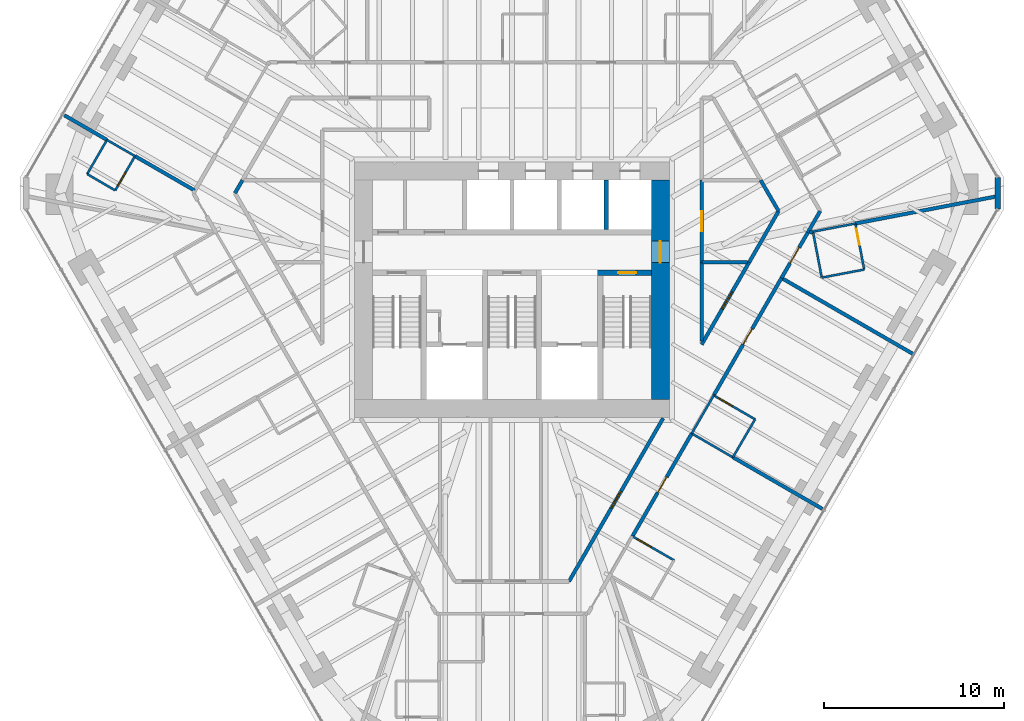
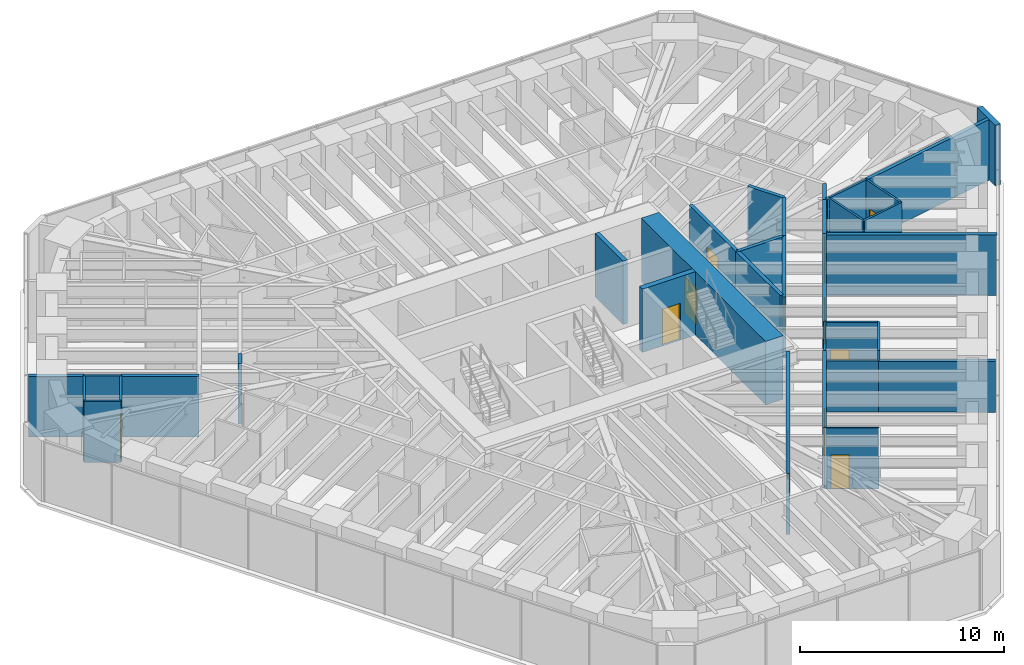
# One storey, part 13 of 16: 35 walls, 12 doors, 12 openings.
"""IFC4 building model written with IfcOpenShell, lengths in metres."""

from ifc_helpers import new_model, si_unit, direction, frame, frame_2d, origin, place, context, subcontext, project, spatial, rectangle, extrude, material, layer, layer_set, type_object, element, fill, save


model = new_model("IFC4")

# Units and contexts
model_context = context("Model", 3, precision=1e-05, world=origin(), true_north=direction((0.0, 1.0)))
body_context = subcontext(model_context, "Body", "Model", "MODEL_VIEW")
ifc_project = project(units=[si_unit("LENGTHUNIT", "METRE"), si_unit("AREAUNIT", "SQUARE_METRE"), si_unit("VOLUMEUNIT", "CUBIC_METRE"), si_unit("PLANEANGLEUNIT", "RADIAN"), si_unit("MASSUNIT", "GRAM", prefix="KILO")], contexts=[model_context])

# Site, building, storey
site_placement = place(None, origin())
site = spatial("IfcSite", under=ifc_project, at=site_placement, CompositionType="ELEMENT")
building_placement = place(site_placement, origin())
building = spatial("IfcBuilding", under=site, at=building_placement, Name="Sandreach Pilgrim Tower", CompositionType="ELEMENT")
storey_placement = place(building_placement, frame((0.0, 0.0, 202.199951171875)))
storey = spatial("IfcBuildingStorey", under=building, at=storey_placement, Name="L50", CompositionType="ELEMENT", Elevation=202.199951171875)

# Walls
ifc_material_1 = material(Name="Moisture-resistant gypsum board on steel studs", Category="steel")
ifc_layer_1 = layer(ifc_material_1, 0.1201171875)
ifc_layer_set_1 = layer_set([ifc_layer_1], Name="Bathroom partition 120")
wall_type_1 = type_object("IfcWallType", Name="Bathroom partition 120", PredefinedType="PARTITIONING", material=ifc_layer_set_1)
wall_1_placement = place(storey_placement, frame((-23.6298828125, 6.429931640625, 0.0), z_axis=(0.0, 0.0, 1.0), x_axis=(0.863773997337, -0.503879431535, 0.0)))
element("IfcWall", 1, at=wall_1_placement, inside=storey, type_object=wall_type_1, Name="Bathroom partition L50-003", PredefinedType="PARTITIONING", context=body_context, shape_type="SweptSolid", body=[
    extrude(rectangle(XDim=1.805908203125, YDim=0.1201171875, at=frame_2d((0.90283203125, 0.0))), origin(), (0.0, 0.0, 1.0), 3.64013671875),
])
wall_2_placement = place(storey_placement, frame((-22.530029296875, 8.330078125, 0.0), z_axis=(0.0, 0.0, 1.0), x_axis=(-0.500957366999, -0.865471961677, 0.0)))
element("IfcWall", 2, at=wall_2_placement, inside=storey, type_object=wall_type_1, Name="Bathroom partition L50-004", PredefinedType="PARTITIONING", context=body_context, shape_type="SweptSolid", body=[
    extrude(rectangle(XDim=2.195556640625, YDim=0.1201171875, at=frame_2d((1.09765625, 0.0))), origin(), (0.0, 0.0, 1.0), 3.64013671875),
])
wall_3_placement = place(storey_placement, frame((-22.530029296875, 8.330078125, 0.0), z_axis=(0.0, 0.0, 1.0), x_axis=(0.866158505053, -0.499769390944, 0.0)))
element("IfcWall", 3, at=wall_3_placement, inside=storey, type_object=wall_type_1, Name="Bathroom partition L50-005", PredefinedType="PARTITIONING", context=body_context, shape_type="SweptSolid", body=[
    extrude(rectangle(XDim=1.801025390625, YDim=0.1201171875, at=frame_2d((0.900390625, 0.0))), origin(), (0.0, 0.0, 1.0), 3.64013671875),
])

# Wall, opening, door
wall_4_placement = place(storey_placement, frame((-22.070068359375, 5.52001953125, 0.0), z_axis=(0.0, 0.0, 1.0), x_axis=(0.499118212815, 0.866533905648, 0.0)))
wall_4 = element("IfcWall", 4, at=wall_4_placement, inside=storey, type_object=wall_type_1, Name="Bathroom partition L50-006", PredefinedType="PARTITIONING", context=body_context, shape_type="SweptSolid", body=[
    extrude(rectangle(XDim=2.2041015625, YDim=0.1201171875, at=frame_2d((1.10205078125, 0.0))), origin(), (0.0, 0.0, 1.0), 3.64013671875),
])
opening_1_placement = place(wall_4_placement, frame((0.300048828125, 0.0, 0.0)))
opening_1 = element("IfcOpeningElement", 5, at=opening_1_placement, cuts=wall_4, Name="Opening D09-15B", PredefinedType="OPENING", context=body_context, shape_type="SweptSolid", body=[
    extrude(rectangle(XDim=0.89990234375, YDim=2.030029296875, at=frame_2d((0.449951171875, 1.01513671875))), frame((0.0, 0.06005859375, 0.0), z_axis=(0.0, -1.0, 0.0), x_axis=(1.0, 0.0, 0.0)), (0.0, 0.0, 1.0), 0.1201171875),
])
ifc_material_2 = material(Name="Timber door, steel frame", Category="steel")
door_type_1 = type_object("IfcDoorType", Name="Bathroom door", OperationType="SINGLE_SWING_LEFT", PredefinedType="DOOR", material=ifc_material_2)
door_1_placement = place(opening_1_placement, origin())
door_1 = element("IfcDoor", 6, at=door_1_placement, inside=storey, type_object=door_type_1, Name="Door 5015B", OperationType="SINGLE_SWING_LEFT", OverallHeight=2.030029296875, OverallWidth=0.89990234375, PredefinedType="DOOR", context=body_context, shape_type="SweptSolid", body=[
    extrude(rectangle(XDim=0.89990234375, YDim=2.030029296875, at=frame_2d((0.449951171875, 1.01513671875))), frame((0.0, 0.02490234375, 0.0), z_axis=(0.0, -1.0, 0.0), x_axis=(1.0, 0.0, 0.0)), (0.0, 0.0, 1.0), 0.050048828125),
])
fill(opening_1, door_1)

wall_5_placement = place(storey_placement, frame((9.010009765625, -15.050048828125, 0.0), z_axis=(0.0, 0.0, 1.0), x_axis=(-0.866615255992, 0.498976951453, 0.0)))
wall_5 = element("IfcWall", 7, at=wall_5_placement, inside=storey, type_object=wall_type_1, Name="Bathroom partition L50-105", PredefinedType="PARTITIONING", context=body_context, shape_type="SweptSolid", body=[
    extrude(rectangle(XDim=2.66552734375, YDim=0.1201171875, at=frame_2d((1.332763671875, 0.0))), origin(), (0.0, 0.0, 1.0), 3.64013671875),
])
opening_2_placement = place(wall_5_placement, frame((1.465576171875, 0.0, 0.0)))
opening_2 = element("IfcOpeningElement", 8, at=opening_2_placement, cuts=wall_5, Name="Opening D09-08B", PredefinedType="OPENING", context=body_context, shape_type="SweptSolid", body=[
    extrude(rectangle(XDim=0.89990234375, YDim=2.030029296875, at=frame_2d((0.449951171875, 1.01513671875))), frame((0.0, 0.06005859375, 0.0), z_axis=(0.0, -1.0, 0.0), x_axis=(1.0, 0.0, 0.0)), (0.0, 0.0, 1.0), 0.1201171875),
])
door_2_placement = place(opening_2_placement, origin())
door_2 = element("IfcDoor", 9, at=door_2_placement, inside=storey, type_object=door_type_1, Name="Door 5008B", OperationType="SINGLE_SWING_RIGHT", OverallHeight=2.030029296875, OverallWidth=0.89990234375, PredefinedType="DOOR", context=body_context, shape_type="SweptSolid", body=[
    extrude(rectangle(XDim=0.89990234375, YDim=2.030029296875, at=frame_2d((0.449951171875, 1.01513671875))), frame((0.0, 0.02490234375, 0.0), z_axis=(0.0, -1.0, 0.0), x_axis=(1.0, 0.0, 0.0)), (0.0, 0.0, 1.0), 0.050048828125),
])
fill(opening_2, door_2)

# Walls
wall_6_placement = place(storey_placement, frame((9.9990234375, -7.99951171875, 0.0), z_axis=(0.0, 0.0, 1.0), x_axis=(0.49917796633, 0.866499485245, 0.0)))
element("IfcWall", 10, at=wall_6_placement, inside=storey, type_object=wall_type_1, Name="Bathroom partition L50-106", PredefinedType="PARTITIONING", context=body_context, shape_type="SweptSolid", body=[
    extrude(rectangle(XDim=2.44580078125, YDim=0.1201171875, at=frame_2d((1.222900390625, 0.0))), origin(), (0.0, 0.0, 1.0), 3.64013671875),
])
wall_7_placement = place(storey_placement, frame((12.2900390625, -9.330078125, 0.0), z_axis=(0.0, 0.0, 1.0), x_axis=(-0.864726954997, 0.502242265546, 0.0)))
element("IfcWall", 11, at=wall_7_placement, inside=storey, type_object=wall_type_1, Name="Bathroom partition L50-118", PredefinedType="PARTITIONING", context=body_context, shape_type="SweptSolid", body=[
    extrude(rectangle(XDim=2.648193359375, YDim=0.1201171875, at=frame_2d((1.32421875, 0.0))), origin(), (0.0, 0.0, 1.0), 3.0380859375),
])
wall_8_placement = place(storey_placement, frame((12.2900390625, -9.320068359375, 0.0), z_axis=(0.0, 0.0, 1.0), x_axis=(0.503591322258, 0.863942000453, 0.0)))
element("IfcWall", 12, at=wall_8_placement, inside=storey, type_object=wall_type_1, Name="Bathroom partition L50-119", PredefinedType="PARTITIONING", context=body_context, shape_type="SweptSolid", body=[
    extrude(rectangle(XDim=2.4423828125, YDim=0.1201171875, at=frame_2d((1.22119140625, 0.0))), origin(), (0.0, 0.0, 1.0), 3.64013671875),
])

# Wall, opening, door
wall_9_placement = place(storey_placement, frame((13.52001953125, -7.2099609375, 0.0), z_axis=(0.0, 0.0, 1.0), x_axis=(-0.865675724273, 0.500605174168, 0.0)))
wall_9 = element("IfcWall", 13, at=wall_9_placement, inside=storey, type_object=wall_type_1, Name="Bathroom partition L50-124", PredefinedType="PARTITIONING", context=body_context, shape_type="SweptSolid", body=[
    extrude(rectangle(XDim=2.656982421875, YDim=0.1201171875, at=frame_2d((1.32861328125, 0.0))), origin(), (0.0, 0.0, 1.0), 3.64013671875),
])
opening_3_placement = place(wall_9_placement, frame((1.456787109375, 0.0, 0.0)))
opening_3 = element("IfcOpeningElement", 14, at=opening_3_placement, cuts=wall_9, Name="Opening D09-07B", PredefinedType="OPENING", context=body_context, shape_type="SweptSolid", body=[
    extrude(rectangle(XDim=0.89990234375, YDim=2.030029296875, at=frame_2d((0.449951171875, 1.01513671875))), frame((0.0, 0.06005859375, 0.0), z_axis=(0.0, -1.0, 0.0), x_axis=(1.0, 0.0, 0.0)), (0.0, 0.0, 1.0), 0.1201171875),
])
door_3_placement = place(opening_3_placement, origin())
door_3 = element("IfcDoor", 15, at=door_3_placement, inside=storey, type_object=door_type_1, Name="Door 5007B", OperationType="SINGLE_SWING_RIGHT", OverallHeight=2.030029296875, OverallWidth=0.89990234375, PredefinedType="DOOR", context=body_context, shape_type="SweptSolid", body=[
    extrude(rectangle(XDim=0.89990234375, YDim=2.030029296875, at=frame_2d((0.449951171875, 1.01513671875))), frame((0.0, 0.02490234375, 0.0), z_axis=(0.0, -1.0, 0.0), x_axis=(1.0, 0.0, 0.0)), (0.0, 0.0, 1.0), 0.050048828125),
])
fill(opening_3, door_3)

# Walls
wall_10_placement = place(storey_placement, frame((16.739013671875, 3.22509765625, 0.0), z_axis=(0.0, 0.0, 1.0), x_axis=(0.981946287277, 0.189159955868, 0.0)))
element("IfcWall", 16, at=wall_10_placement, inside=storey, type_object=wall_type_1, Name="Bathroom partition L50-137", PredefinedType="PARTITIONING", context=body_context, shape_type="SweptSolid", body=[
    extrude(rectangle(XDim=2.404541015625, YDim=0.1201171875, at=frame_2d((1.2021484375, 0.0))), origin(), (0.0, 0.0, 1.0), 3.64013671875),
])
wall_11_placement = place(storey_placement, frame((16.739990234375, 3.219970703125, 0.0), z_axis=(0.0, 0.0, 1.0), x_axis=(0.188697442844, -0.982035271802, 0.0)))
element("IfcWall", 17, at=wall_11_placement, inside=storey, type_object=wall_type_1, Name="Bathroom partition L50-138", PredefinedType="PARTITIONING", context=body_context, shape_type="SweptSolid", body=[
    extrude(rectangle(XDim=2.5966796875, YDim=0.1201171875, at=frame_2d((1.29833984375, 0.0))), origin(), (0.0, 0.0, 1.0), 3.64013671875),
])
wall_12_placement = place(storey_placement, frame((17.22998046875, 0.669921875, 0.0), z_axis=(0.0, 0.0, 1.0), x_axis=(0.982288725898, 0.187373581313, 0.0)))
element("IfcWall", 18, at=wall_12_placement, inside=storey, type_object=wall_type_1, Name="Bathroom partition L50-143", PredefinedType="PARTITIONING", context=body_context, shape_type="SweptSolid", body=[
    extrude(rectangle(XDim=2.402587890625, YDim=0.1201171875, at=frame_2d((1.201171875, 0.0))), origin(), (0.0, 0.0, 1.0), 3.64013671875),
])

# Wall, opening, door
wall_13_placement = place(storey_placement, frame((19.590087890625, 1.1201171875, 0.0), z_axis=(0.0, 0.0, 1.0), x_axis=(-0.188003058159, 0.982168442846, 0.0)))
wall_13 = element("IfcWall", 19, at=wall_13_placement, inside=storey, type_object=wall_type_1, Name="Bathroom partition L50-146", PredefinedType="PARTITIONING", context=body_context, shape_type="SweptSolid", body=[
    extrude(rectangle(XDim=2.606201171875, YDim=0.1201171875, at=frame_2d((1.30322265625, 0.0))), origin(), (0.0, 0.0, 1.0), 3.64013671875),
])
opening_4_placement = place(wall_13_placement, frame((1.406494140625, 0.0, 0.0)))
opening_4 = element("IfcOpeningElement", 20, at=opening_4_placement, cuts=wall_13, Name="Opening D09-06B", PredefinedType="OPENING", context=body_context, shape_type="SweptSolid", body=[
    extrude(rectangle(XDim=0.89990234375, YDim=2.030029296875, at=frame_2d((0.449951171875, 1.01513671875))), frame((0.0, 0.06005859375, 0.0), z_axis=(0.0, -1.0, 0.0), x_axis=(1.0, 0.0, 0.0)), (0.0, 0.0, 1.0), 0.1201171875),
])
door_4_placement = place(opening_4_placement, origin())
door_4 = element("IfcDoor", 21, at=door_4_placement, inside=storey, type_object=door_type_1, Name="Door 5006B", OperationType="SINGLE_SWING_RIGHT", OverallHeight=2.030029296875, OverallWidth=0.89990234375, PredefinedType="DOOR", context=body_context, shape_type="SweptSolid", body=[
    extrude(rectangle(XDim=0.89990234375, YDim=2.030029296875, at=frame_2d((0.449951171875, 1.01513671875))), frame((0.0, 0.02490234375, 0.0), z_axis=(0.0, -1.0, 0.0), x_axis=(1.0, 0.0, 0.0)), (0.0, 0.0, 1.0), 0.050048828125),
])
fill(opening_4, door_4)

ifc_material_3 = material(Name="Concrete 10000 psi", Category="concrete")
ifc_layer_2 = layer(ifc_material_3, 0.300048828125)
ifc_layer_set_2 = layer_set([ifc_layer_2], Name="Core inner wall 300")
wall_type_2 = type_object("IfcWallType", Name="Core inner wall 300", PredefinedType="SHEAR", material=ifc_layer_set_2)
wall_14_placement = place(storey_placement, frame((4.75, 0.949951171875, 0.0), z_axis=(0.0, 0.0, 1.0), x_axis=(1.0, 0.0, 0.0)))
wall_14 = element("IfcWall", 22, at=wall_14_placement, inside=storey, type_object=wall_type_2, Name="Core wall SN2 L50", PredefinedType="SHEAR", context=body_context, shape_type="SweptSolid", body=[
    extrude(rectangle(XDim=3.0, YDim=0.300048828125, at=frame_2d((1.5, 0.0))), origin(), (0.0, 0.0, 1.0), 3.800048828125),
])
opening_5_placement = place(wall_14_placement, frame((1.14990234375, 0.0, 0.0)))
opening_5 = element("IfcOpeningElement", 23, at=opening_5_placement, cuts=wall_14, Name="Opening D10S-ST2", PredefinedType="OPENING", context=body_context, shape_type="SweptSolid", body=[
    extrude(rectangle(XDim=1.0, YDim=2.199951171875, at=frame_2d((0.5, 1.10009765625))), frame((0.0, 0.14990234375, 0.0), z_axis=(0.0, -1.0, 0.0), x_axis=(1.0, 0.0, 0.0)), (0.0, 0.0, 1.0), 0.300048828125),
])
ifc_material_4 = material(Name="Steel door and frame", Category="steel")
door_type_2 = type_object("IfcDoorType", Name="Stair door", OperationType="SINGLE_SWING_LEFT", PredefinedType="DOOR", material=ifc_material_4)
door_5_placement = place(opening_5_placement, origin())
door_5 = element("IfcDoor", 24, at=door_5_placement, inside=storey, type_object=door_type_2, Name="Stair door ST2 L50", OperationType="SINGLE_SWING_RIGHT", OverallHeight=2.199951171875, OverallWidth=1.0, PredefinedType="DOOR", context=body_context, shape_type="SweptSolid", body=[
    extrude(rectangle(XDim=1.0, YDim=2.199951171875, at=frame_2d((0.5, 1.10009765625))), frame((0.0, 0.02490234375, 0.0), z_axis=(0.0, -1.0, 0.0), x_axis=(1.0, 0.0, 0.0)), (0.0, 0.0, 1.0), 0.050048828125),
])
fill(opening_5, door_5)

ifc_material_5 = material(Name="Concrete 10000 psi", Category="concrete")
ifc_layer_3 = layer(ifc_material_5, 1.0)
ifc_layer_set_3 = layer_set([ifc_layer_3], Name="Core wall 1000")
wall_type_3 = type_object("IfcWallType", Name="Core wall 1000", PredefinedType="SHEAR", material=ifc_layer_set_3)
wall_15_placement = place(storey_placement, frame((8.25, -6.10009765625, 0.0), z_axis=(0.0, 0.0, 1.0), x_axis=(0.0, 1.0, 0.0)))
wall_15 = element("IfcWall", 25, at=wall_15_placement, inside=storey, type_object=wall_type_3, Name="Core wall E L50", PredefinedType="SHEAR", context=body_context, shape_type="SweptSolid", body=[
    extrude(rectangle(XDim=12.2001953125, YDim=1.0, at=frame_2d((6.10009765625, 0.0))), origin(), (0.0, 0.0, 1.0), 3.800048828125),
])
opening_6_placement = place(wall_15_placement, frame((7.60009765625, 0.0, 0.0)))
opening_6 = element("IfcOpeningElement", 26, at=opening_6_placement, cuts=wall_15, Name="Opening D12F-E", PredefinedType="OPENING", context=body_context, shape_type="SweptSolid", body=[
    extrude(rectangle(XDim=1.199951171875, YDim=2.199951171875, at=frame_2d((0.60009765625, 1.10009765625))), frame((0.0, 0.5, 0.0), z_axis=(0.0, -1.0, 0.0), x_axis=(1.0, 0.0, 0.0)), (0.0, 0.0, 1.0), 1.0),
])
ifc_material_6 = material(Name="Steel door and frame", Category="steel")
door_type_3 = type_object("IfcDoorType", Name="Fire lobby door", OperationType="SINGLE_SWING_LEFT", PredefinedType="DOOR", material=ifc_material_6)
door_6_placement = place(opening_6_placement, origin())
door_6 = element("IfcDoor", 27, at=door_6_placement, inside=storey, type_object=door_type_3, Name="Fire service lobby door E L50", OperationType="SINGLE_SWING_RIGHT", OverallHeight=2.199951171875, OverallWidth=1.199951171875, PredefinedType="DOOR", context=body_context, shape_type="SweptSolid", body=[
    extrude(rectangle(XDim=1.199951171875, YDim=2.199951171875, at=frame_2d((0.60009765625, 1.10009765625))), frame((0.0, 0.02490234375, 0.0), z_axis=(0.0, -1.0, 0.0), x_axis=(1.0, 0.0, 0.0)), (0.0, 0.0, 1.0), 0.050048828125),
])
fill(opening_6, door_6)

# Wall
ifc_material_7 = material(Name="Gypsum board on steel studs, two layers each side", Category="steel")
ifc_layer_4 = layer(ifc_material_7, 0.199951171875)
ifc_layer_set_4 = layer_set([ifc_layer_4], Name="Corridor wall 200")
wall_type_4 = type_object("IfcWallType", Name="Corridor wall 200", PredefinedType="PARTITIONING", material=ifc_layer_set_4)
wall_16_placement = place(storey_placement, frame((-15.409912109375, 5.3701171875, 0.0), z_axis=(0.0, 0.0, 1.0), x_axis=(0.503943891868, 0.863736391412, 0.0)))
element("IfcWall", 28, at=wall_16_placement, inside=storey, type_object=wall_type_4, Name="Corridor wall L50-026", PredefinedType="PARTITIONING", context=body_context, shape_type="SweptSolid", body=[
    extrude(rectangle(XDim=0.833251953125, YDim=0.199951171875, at=frame_2d((0.41650390625, 0.0))), origin(), (0.0, 0.0, 1.0), 3.64013671875),
])

# Wall, opening, door
wall_17_placement = place(storey_placement, frame((6.699951171875, -13.719970703125, 0.0), z_axis=(0.0, 0.0, 1.0), x_axis=(0.499729921425, 0.866181277581, 0.0)))
wall_17 = element("IfcWall", 29, at=wall_17_placement, inside=storey, type_object=wall_type_4, Name="Corridor wall L50-100", PredefinedType="PARTITIONING", context=body_context, shape_type="SweptSolid", body=[
    extrude(rectangle(XDim=6.603759765625, YDim=0.199951171875, at=frame_2d((3.3017578125, 0.0))), origin(), (0.0, 0.0, 1.0), 3.64013671875),
])
opening_7_placement = place(wall_17_placement, frame((2.8017578125, 0.0, 0.0)))
opening_7 = element("IfcOpeningElement", 30, at=opening_7_placement, cuts=wall_17, Name="Opening D10-08", PredefinedType="OPENING", context=body_context, shape_type="SweptSolid", body=[
    extrude(rectangle(XDim=1.0, YDim=2.1298828125, at=frame_2d((0.5, 1.06494140625))), frame((0.0, 0.10009765625, 0.0), z_axis=(0.0, -1.0, 0.0), x_axis=(1.0, 0.0, 0.0)), (0.0, 0.0, 1.0), 0.199951171875),
])
ifc_material_8 = material(Name="Steel door and frame", Category="steel")
door_type_4 = type_object("IfcDoorType", Name="Guest room entry door", OperationType="SINGLE_SWING_LEFT", PredefinedType="DOOR", material=ifc_material_8)
door_7_placement = place(opening_7_placement, origin())
door_7 = element("IfcDoor", 31, at=door_7_placement, inside=storey, type_object=door_type_4, Name="Door 5008", OperationType="SINGLE_SWING_LEFT", OverallHeight=2.1298828125, OverallWidth=1.0, PredefinedType="DOOR", context=body_context, shape_type="SweptSolid", body=[
    extrude(rectangle(XDim=1.0, YDim=2.1298828125, at=frame_2d((0.5, 1.06494140625))), frame((0.0, 0.02490234375, 0.0), z_axis=(0.0, -1.0, 0.0), x_axis=(1.0, 0.0, 0.0)), (0.0, 0.0, 1.0), 0.050048828125),
])
fill(opening_7, door_7)

wall_18_placement = place(storey_placement, frame((8.409912109375, -7.14990234375, 0.0), z_axis=(0.0, 0.0, 1.0), x_axis=(-0.499828628176, -0.866124322748, 0.0)))
wall_18 = element("IfcWall", 32, at=wall_18_placement, inside=storey, type_object=wall_type_4, Name="Corridor wall L50-102", PredefinedType="PARTITIONING", context=body_context, shape_type="SweptSolid", body=[
    extrude(rectangle(XDim=10.483642578125, YDim=0.199951171875, at=frame_2d((5.24169921875, 0.0))), origin(), (0.0, 0.0, 1.0), 3.64013671875),
])
opening_8_placement = place(wall_18_placement, frame((4.691650390625, 0.0, 0.0)))
opening_8 = element("IfcOpeningElement", 33, at=opening_8_placement, cuts=wall_18, Name="Opening D11H-S4", PredefinedType="OPENING", context=body_context, shape_type="SweptSolid", body=[
    extrude(rectangle(XDim=1.10009765625, YDim=2.199951171875, at=frame_2d((0.550048828125, 1.10009765625))), frame((0.0, 0.10009765625, 0.0), z_axis=(0.0, -1.0, 0.0), x_axis=(1.0, 0.0, 0.0)), (0.0, 0.0, 1.0), 0.199951171875),
])
ifc_material_9 = material(Name="Steel door and frame", Category="steel")
door_type_5 = type_object("IfcDoorType", Name="Back of house door", OperationType="SINGLE_SWING_LEFT", PredefinedType="DOOR", material=ifc_material_9)
door_8_placement = place(opening_8_placement, origin())
door_8 = element("IfcDoor", 34, at=door_8_placement, inside=storey, type_object=door_type_5, Name="Door 50S4", OperationType="SINGLE_SWING_LEFT", OverallHeight=2.199951171875, OverallWidth=1.10009765625, PredefinedType="DOOR", context=body_context, shape_type="SweptSolid", body=[
    extrude(rectangle(XDim=1.10009765625, YDim=2.199951171875, at=frame_2d((0.550048828125, 1.10009765625))), frame((0.0, 0.02490234375, 0.0), z_axis=(0.0, -1.0, 0.0), x_axis=(1.0, 0.0, 0.0)), (0.0, 0.0, 1.0), 0.050048828125),
])
fill(opening_8, door_8)

# Wall
wall_19_placement = place(storey_placement, frame((10.550048828125, -2.85498046875, 0.0), z_axis=(0.0, 0.0, 1.0), x_axis=(0.0, 1.0, 0.0)))
element("IfcWall", 35, at=wall_19_placement, inside=storey, type_object=wall_type_4, Name="Corridor wall L50-107", PredefinedType="PARTITIONING", context=body_context, shape_type="SweptSolid", body=[
    extrude(rectangle(XDim=4.375, YDim=0.199951171875, at=frame_2d((2.1875, 0.0))), origin(), (0.0, 0.0, 1.0), 3.64013671875),
])

# Wall, opening, door
wall_20_placement = place(storey_placement, frame((10.550048828125, 1.52001953125, 0.0), z_axis=(0.0, 0.0, 1.0), x_axis=(0.0, 1.0, 0.0)))
wall_20 = element("IfcWall", 36, at=wall_20_placement, inside=storey, type_object=wall_type_4, Name="Corridor wall L50-108", PredefinedType="PARTITIONING", context=body_context, shape_type="SweptSolid", body=[
    extrude(rectangle(XDim=4.570068359375, YDim=0.199951171875, at=frame_2d((2.28515625, 0.0))), origin(), (0.0, 0.0, 1.0), 3.64013671875),
])
opening_9_placement = place(wall_20_placement, frame((1.735107421875, 0.0, 0.0)))
opening_9 = element("IfcOpeningElement", 37, at=opening_9_placement, cuts=wall_20, Name="Opening D11H-M06", PredefinedType="OPENING", context=body_context, shape_type="SweptSolid", body=[
    extrude(rectangle(XDim=1.10009765625, YDim=2.199951171875, at=frame_2d((0.550048828125, 1.10009765625))), frame((0.0, 0.10009765625, 0.0), z_axis=(0.0, -1.0, 0.0), x_axis=(1.0, 0.0, 0.0)), (0.0, 0.0, 1.0), 0.199951171875),
])
door_9_placement = place(opening_9_placement, origin())
door_9 = element("IfcDoor", 38, at=door_9_placement, inside=storey, type_object=door_type_5, Name="Door 50M06", OperationType="SINGLE_SWING_LEFT", OverallHeight=2.199951171875, OverallWidth=1.10009765625, PredefinedType="DOOR", context=body_context, shape_type="SweptSolid", body=[
    extrude(rectangle(XDim=1.10009765625, YDim=2.199951171875, at=frame_2d((0.550048828125, 1.10009765625))), frame((0.0, 0.02490234375, 0.0), z_axis=(0.0, -1.0, 0.0), x_axis=(1.0, 0.0, 0.0)), (0.0, 0.0, 1.0), 0.050048828125),
])
fill(opening_9, door_9)

wall_21_placement = place(storey_placement, frame((11.219970703125, -5.8798828125, 0.0), z_axis=(0.0, 0.0, 1.0), x_axis=(0.500004606796, 0.866022744033, 0.0)))
wall_21 = element("IfcWall", 39, at=wall_21_placement, inside=storey, type_object=wall_type_4, Name="Corridor wall L50-117", PredefinedType="PARTITIONING", context=body_context, shape_type="SweptSolid", body=[
    extrude(rectangle(XDim=7.5400390625, YDim=0.199951171875, at=frame_2d((3.77001953125, 0.0))), origin(), (0.0, 0.0, 1.0), 3.64013671875),
])
opening_10_placement = place(wall_21_placement, frame((3.27001953125, 0.0, 0.0)))
opening_10 = element("IfcOpeningElement", 40, at=opening_10_placement, cuts=wall_21, Name="Opening D10-07", PredefinedType="OPENING", context=body_context, shape_type="SweptSolid", body=[
    extrude(rectangle(XDim=1.0, YDim=2.1298828125, at=frame_2d((0.5, 1.06494140625))), frame((0.0, 0.10009765625, 0.0), z_axis=(0.0, -1.0, 0.0), x_axis=(1.0, 0.0, 0.0)), (0.0, 0.0, 1.0), 0.199951171875),
])
door_10_placement = place(opening_10_placement, origin())
door_10 = element("IfcDoor", 41, at=door_10_placement, inside=storey, type_object=door_type_4, Name="Door 5007", OperationType="SINGLE_SWING_LEFT", OverallHeight=2.1298828125, OverallWidth=1.0, PredefinedType="DOOR", context=body_context, shape_type="SweptSolid", body=[
    extrude(rectangle(XDim=1.0, YDim=2.1298828125, at=frame_2d((0.5, 1.06494140625))), frame((0.0, 0.02490234375, 0.0), z_axis=(0.0, -1.0, 0.0), x_axis=(1.0, 0.0, 0.0)), (0.0, 0.0, 1.0), 0.050048828125),
])
fill(opening_10, door_10)

wall_22_placement = place(storey_placement, frame((13.18994140625, 1.52001953125, 0.0), z_axis=(0.0, 0.0, 1.0), x_axis=(-0.500193590286, -0.865913605527, 0.0)))
wall_22 = element("IfcWall", 42, at=wall_22_placement, inside=storey, type_object=wall_type_4, Name="Corridor wall L50-123", PredefinedType="PARTITIONING", context=body_context, shape_type="SweptSolid", body=[
    extrude(rectangle(XDim=5.27783203125, YDim=0.199951171875, at=frame_2d((2.638916015625, 0.0))), origin(), (0.0, 0.0, 1.0), 3.64013671875),
])
opening_11_placement = place(wall_22_placement, frame((1.89990234375, 0.0, 0.0)))
opening_11 = element("IfcOpeningElement", 43, at=opening_11_placement, cuts=wall_22, Name="Opening D11H-M04", PredefinedType="OPENING", context=body_context, shape_type="SweptSolid", body=[
    extrude(rectangle(XDim=1.10009765625, YDim=2.199951171875, at=frame_2d((0.550048828125, 1.10009765625))), frame((0.0, 0.10009765625, 0.0), z_axis=(0.0, -1.0, 0.0), x_axis=(1.0, 0.0, 0.0)), (0.0, 0.0, 1.0), 0.199951171875),
])
door_11_placement = place(opening_11_placement, origin())
door_11 = element("IfcDoor", 44, at=door_11_placement, inside=storey, type_object=door_type_5, Name="Door 50M04", OperationType="SINGLE_SWING_LEFT", OverallHeight=2.199951171875, OverallWidth=1.10009765625, PredefinedType="DOOR", context=body_context, shape_type="SweptSolid", body=[
    extrude(rectangle(XDim=1.10009765625, YDim=2.199951171875, at=frame_2d((0.550048828125, 1.10009765625))), frame((0.0, 0.02490234375, 0.0), z_axis=(0.0, -1.0, 0.0), x_axis=(1.0, 0.0, 0.0)), (0.0, 0.0, 1.0), 0.050048828125),
])
fill(opening_11, door_11)

# Walls
wall_23_placement = place(storey_placement, frame((13.830078125, 6.090087890625, 0.0), z_axis=(0.0, 0.0, 1.0), x_axis=(0.502573539539, -0.864534462792, 0.0)))
element("IfcWall", 45, at=wall_23_placement, inside=storey, type_object=wall_type_4, Name="Corridor wall L50-127", PredefinedType="PARTITIONING", context=body_context, shape_type="SweptSolid", body=[
    extrude(rectangle(XDim=1.98974609375, YDim=0.199951171875, at=frame_2d((0.994873046875, 0.0))), origin(), (0.0, 0.0, 1.0), 3.64013671875),
])
wall_24_placement = place(storey_placement, frame((14.830078125, 4.3701171875, 0.0), z_axis=(0.0, 0.0, 1.0), x_axis=(-0.498775186059, -0.866731396554, 0.0)))
element("IfcWall", 46, at=wall_24_placement, inside=storey, type_object=wall_type_4, Name="Corridor wall L50-129", PredefinedType="PARTITIONING", context=body_context, shape_type="SweptSolid", body=[
    extrude(rectangle(XDim=3.288330078125, YDim=0.199951171875, at=frame_2d((1.64404296875, 0.0))), origin(), (0.0, 0.0, 1.0), 3.64013671875),
])

# Wall, opening, door
wall_25_placement = place(storey_placement, frame((14.989990234375, 0.650146484375, 0.0), z_axis=(0.0, 0.0, 1.0), x_axis=(0.501330358107, 0.865255957529, 0.0)))
wall_25 = element("IfcWall", 47, at=wall_25_placement, inside=storey, type_object=wall_type_4, Name="Corridor wall L50-132", PredefinedType="PARTITIONING", context=body_context, shape_type="SweptSolid", body=[
    extrude(rectangle(XDim=2.912109375, YDim=0.199951171875, at=frame_2d((1.4560546875, 0.0))), origin(), (0.0, 0.0, 1.0), 3.64013671875),
])
opening_12_placement = place(wall_25_placement, frame((0.956298828125, 0.0, 0.0)))
opening_12 = element("IfcOpeningElement", 48, at=opening_12_placement, cuts=wall_25, Name="Opening D10-06", PredefinedType="OPENING", context=body_context, shape_type="SweptSolid", body=[
    extrude(rectangle(XDim=1.0, YDim=2.1298828125, at=frame_2d((0.5, 1.06494140625))), frame((0.0, 0.10009765625, 0.0), z_axis=(0.0, -1.0, 0.0), x_axis=(1.0, 0.0, 0.0)), (0.0, 0.0, 1.0), 0.199951171875),
])
door_12_placement = place(opening_12_placement, origin())
door_12 = element("IfcDoor", 49, at=door_12_placement, inside=storey, type_object=door_type_4, Name="Door 5006", OperationType="SINGLE_SWING_LEFT", OverallHeight=2.1298828125, OverallWidth=1.0, PredefinedType="DOOR", context=body_context, shape_type="SweptSolid", body=[
    extrude(rectangle(XDim=1.0, YDim=2.1298828125, at=frame_2d((0.5, 1.06494140625))), frame((0.0, 0.02490234375, 0.0), z_axis=(0.0, -1.0, 0.0), x_axis=(1.0, 0.0, 0.0)), (0.0, 0.0, 1.0), 0.050048828125),
])
fill(opening_12, door_12)

# Walls
wall_26_placement = place(storey_placement, frame((16.449951171875, 3.169921875, 0.0), z_axis=(0.0, 0.0, 1.0), x_axis=(0.49845455473, 0.866915830325, 0.0)))
element("IfcWall", 50, at=wall_26_placement, inside=storey, type_object=wall_type_4, Name="Corridor wall L50-135", PredefinedType="PARTITIONING", context=body_context, shape_type="SweptSolid", body=[
    extrude(rectangle(XDim=1.38427734375, YDim=0.199951171875, at=frame_2d((0.692138671875, 0.0))), origin(), (0.0, 0.0, 1.0), 3.64013671875),
])
ifc_material_10 = material(Name="Double steel stud acoustic wall, gypsum board", Category="steel")
ifc_layer_5 = layer(ifc_material_10, 0.199951171875)
ifc_layer_set_5 = layer_set([ifc_layer_5], Name="Party wall 200")
wall_type_5 = type_object("IfcWallType", Name="Party wall 200", PredefinedType="PARTITIONING", material=ifc_layer_set_5)
wall_27_placement = place(storey_placement, frame((-24.896240234375, 9.699951171875, 0.0), z_axis=(0.0, 0.0, 1.0), x_axis=(0.865432398871, -0.501025710902, 0.0)))
element("IfcWall", 51, at=wall_27_placement, inside=storey, type_object=wall_type_5, Name="Party wall L50-002", PredefinedType="PARTITIONING", context=body_context, shape_type="SweptSolid", body=[
    extrude(rectangle(XDim=2.734130859375, YDim=0.199951171875, at=frame_2d((1.3671875, 0.0))), origin(), (0.0, 0.0, 1.0), 3.64013671875),
])
wall_28_placement = place(storey_placement, frame((-20.969970703125, 7.429931640625, 0.0), z_axis=(0.0, 0.0, 1.0), x_axis=(0.866325681624, -0.499479542482, 0.0)))
element("IfcWall", 52, at=wall_28_placement, inside=storey, type_object=wall_type_5, Name="Party wall L50-007", PredefinedType="PARTITIONING", context=body_context, shape_type="SweptSolid", body=[
    extrude(rectangle(XDim=3.82861328125, YDim=0.199951171875, at=frame_2d((1.914306640625, 0.0))), origin(), (0.0, 0.0, 1.0), 3.64013671875),
])
wall_29_placement = place(storey_placement, frame((10.56005859375, 1.52001953125, 0.0), z_axis=(0.0, 0.0, 1.0), x_axis=(1.0, 0.0, 0.0)))
element("IfcWall", 53, at=wall_29_placement, inside=storey, type_object=wall_type_5, Name="Party wall L50-110", PredefinedType="PARTITIONING", context=body_context, shape_type="SweptSolid", body=[
    extrude(rectangle(XDim=2.550048828125, YDim=0.199951171875, at=frame_2d((1.27490234375, 0.0))), origin(), (0.0, 0.0, 1.0), 3.64013671875),
])
wall_30_placement = place(storey_placement, frame((12.2900390625, -9.320068359375, 0.0), z_axis=(0.0, 0.0, 1.0), x_axis=(0.865820408554, -0.500354894182, 0.0)))
element("IfcWall", 54, at=wall_30_placement, inside=storey, type_object=wall_type_5, Name="Party wall L50-120", PredefinedType="PARTITIONING", context=body_context, shape_type="SweptSolid", body=[
    extrude(rectangle(XDim=5.735595703125, YDim=0.199951171875, at=frame_2d((2.86767578125, 0.0))), origin(), (0.0, 0.0, 1.0), 3.0380859375),
])
wall_31_placement = place(storey_placement, frame((16.548583984375, 3.18701171875, 0.0), z_axis=(0.0, 0.0, 1.0), x_axis=(0.985496381106, 0.169696443175, 0.0)))
element("IfcWall", 55, at=wall_31_placement, inside=storey, type_object=wall_type_5, Name="Party wall L50-136", PredefinedType="PARTITIONING", context=body_context, shape_type="SweptSolid", body=[
    extrude(rectangle(XDim=0.1943359375, YDim=0.199951171875, at=frame_2d((0.09716796875, 0.0))), origin(), (0.0, 0.0, 1.0), 3.64013671875),
])
wall_32_placement = place(storey_placement, frame((19.10009765625, 3.679931640625, 0.0), z_axis=(0.0, 0.0, 1.0), x_axis=(0.982065840923, 0.188538282829, 0.0)))
element("IfcWall", 56, at=wall_32_placement, inside=storey, type_object=wall_type_5, Name="Party wall L50-145", PredefinedType="PARTITIONING", context=body_context, shape_type="SweptSolid", body=[
    extrude(rectangle(XDim=8.08544921875, YDim=0.199951171875, at=frame_2d((4.042724609375, 0.0))), origin(), (0.0, 0.0, 1.0), 3.64013671875),
])
wall_33_placement = place(storey_placement, frame((22.323974609375, -3.5849609375, 0.0), z_axis=(0.0, 0.0, 1.0), x_axis=(-0.865987918257, 0.500064921217, 0.0)))
element("IfcWall", 57, at=wall_33_placement, inside=storey, type_object=wall_type_5, Name="Party wall L50-147", PredefinedType="PARTITIONING", context=body_context, shape_type="SweptSolid", body=[
    extrude(rectangle(XDim=8.4541015625, YDim=0.199951171875, at=frame_2d((4.22705078125, 0.0))), origin(), (0.0, 0.0, 1.0), 3.64013671875),
])
ifc_material_11 = material(Name="Gypsum shaft wall on steel studs, two layers of shaft liner board", Category="steel")
ifc_layer_6 = layer(ifc_material_11, 0.25)
ifc_layer_set_6 = layer_set([ifc_layer_6], Name="Shaft partition 250")
wall_type_6 = type_object("IfcWallType", Name="Shaft partition 250", PredefinedType="PARTITIONING", material=ifc_layer_set_6)
wall_34_placement = place(storey_placement, frame((5.25, 3.35009765625, 0.0), z_axis=(0.0, 0.0, 1.0), x_axis=(0.0, 1.0, 0.0)))
element("IfcWall", 58, at=wall_34_placement, inside=storey, type_object=wall_type_6, Name="Shaft partition NS4 L50", PredefinedType="PARTITIONING", context=body_context, shape_type="SweptSolid", body=[
    extrude(rectangle(XDim=2.75, YDim=0.25, at=frame_2d((1.375, 0.0))), origin(), (0.0, 0.0, 1.0), 3.800048828125),
])
ifc_material_12 = material(Name="Terracotta rainscreen on concrete", Category="masonry")
ifc_layer_7 = layer(ifc_material_12, 0.300048828125)
ifc_layer_set_7 = layer_set([ifc_layer_7], Name="Terracotta chamfer pier")
wall_type_7 = type_object("IfcWallType", Name="Terracotta chamfer pier", PredefinedType="SOLIDWALL", material=ifc_layer_set_7)
wall_35_placement = place(storey_placement, frame((27.02001953125, 6.25, 0.0), z_axis=(0.0, 0.0, 1.0), x_axis=(0.0, -1.0, 0.0)))
element("IfcWall", 59, at=wall_35_placement, inside=storey, type_object=wall_type_7, Name="Chamfer pier L50 NE", PredefinedType="SOLIDWALL", context=body_context, shape_type="SweptSolid", body=[
    extrude(rectangle(XDim=1.77001953125, YDim=0.300048828125, at=frame_2d((0.885009765625, 0.0))), origin(), (0.0, 0.0, 1.0), 3.64013671875),
])

save(model, "model.ifc")
